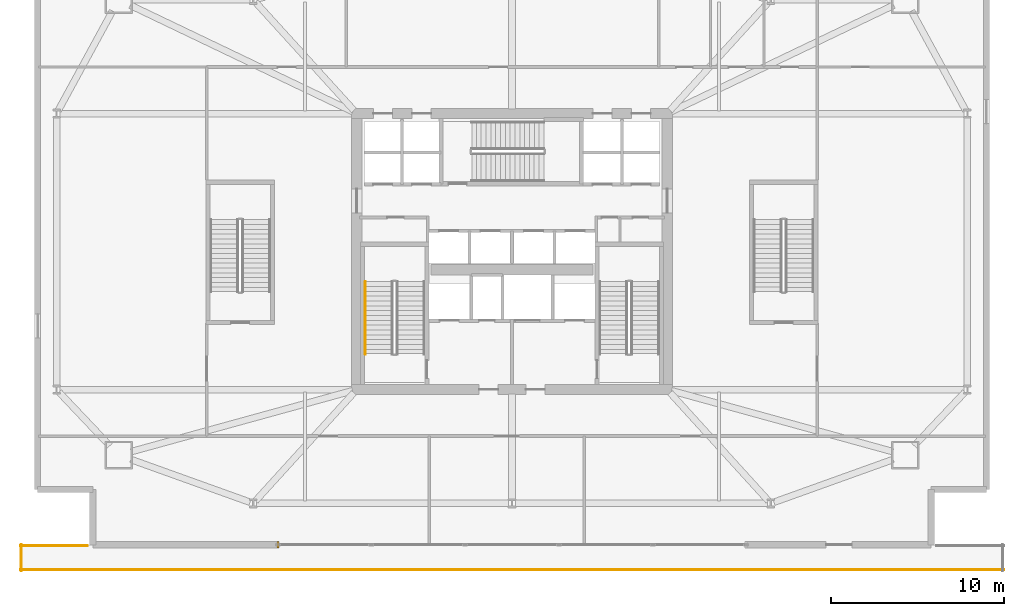
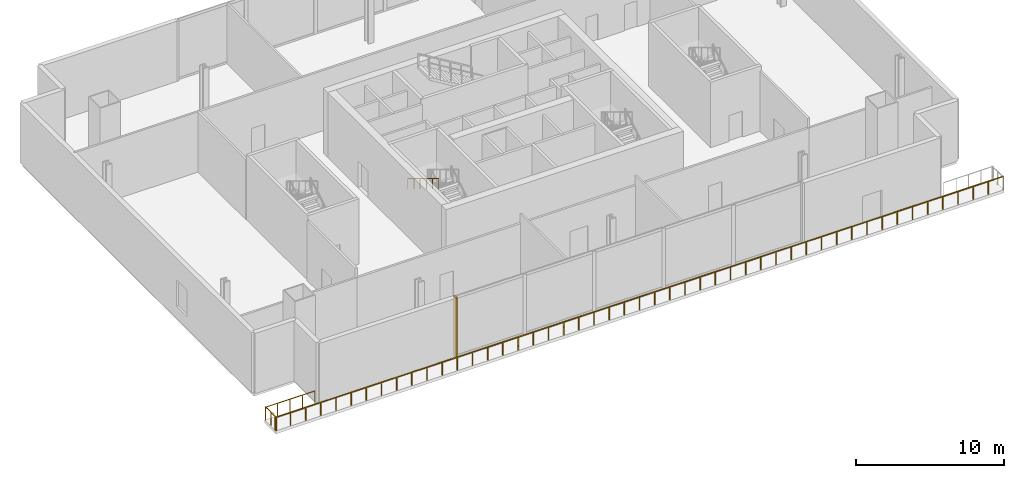
# One storey, part 13 of 16: 4 railings, 1 covering.
"""IFC4 building model written with IfcOpenShell, lengths in metres."""

from ifc_helpers import new_model, si_unit, direction, frame, origin, origin_2d, place, context, subcontext, project, spatial, rectangle, extrude, source, transform, mapped, material, layer, layer_set, type_object, element, save


model = new_model("IFC4")

# Units and contexts
model_context = context("Model", 3, precision=1e-05, world=origin(), true_north=direction((0.0, 1.0)))
body_context = subcontext(model_context, "Body", "Model", "MODEL_VIEW")
ifc_project = project(units=[si_unit("LENGTHUNIT", "METRE"), si_unit("AREAUNIT", "SQUARE_METRE"), si_unit("VOLUMEUNIT", "CUBIC_METRE"), si_unit("PLANEANGLEUNIT", "RADIAN"), si_unit("MASSUNIT", "GRAM", prefix="KILO")], contexts=[model_context])

# Site, building, storey
site_placement = place(None, origin())
site = spatial("IfcSite", under=ifc_project, at=site_placement, CompositionType="ELEMENT")
building_placement = place(site_placement, origin())
building = spatial("IfcBuilding", under=site, at=building_placement, Name="Haldenkirk Collegiate Tower", CompositionType="ELEMENT")
storey_placement = place(building_placement, frame((0.0, 0.0, 16.800048828125)))
storey = spatial("IfcBuildingStorey", under=building, at=storey_placement, Name="L03", CompositionType="ELEMENT", Elevation=16.800048828125)

# Railings
ifc_material_1 = material(Name="Painted architectural tubular steel", Category="steel")
railing_type_1 = type_object("IfcRailingType", Name="RLG-STAIR-HANDRAIL-900", PredefinedType="HANDRAIL", material=ifc_material_1)
railing_1_placement = place(storey_placement, frame((27.5, 24.25, 2.86865234375)))
element("IfcRailing", 1, at=railing_1_placement, inside=storey, type_object=railing_type_1, Name="L03 ST-1 stair handrail 2", PredefinedType="HANDRAIL", context=body_context, shape_type="SweptSolid", body=[
    extrude(rectangle(XDim=0.048095703125, YDim=0.048095703125, at=origin_2d()), frame((0.0, 0.0, 0.8759765625), z_axis=(0.0, -0.856476492594, 0.516186030065), x_axis=(1.0, 0.0, 0.0)), (0.0, 0.0, 1.0), 4.90380859375),
    extrude(rectangle(XDim=0.0419921875, YDim=0.0419921875, at=origin_2d()), origin(), (0.0, 0.0, 1.0), 0.851806640625),
    extrude(rectangle(XDim=0.0419921875, YDim=0.0419921875, at=origin_2d()), frame((0.0, -0.840087890625, 0.50634765625)), (0.0, 0.0, 1.0), 0.851806640625),
    extrude(rectangle(XDim=0.0419921875, YDim=0.0419921875, at=origin_2d()), frame((0.0, -1.679931640625, 1.012451171875)), (0.0, 0.0, 1.0), 0.851806640625),
    extrude(rectangle(XDim=0.0419921875, YDim=0.0419921875, at=origin_2d()), frame((0.0, -2.52001953125, 1.518798828125)), (0.0, 0.0, 1.0), 0.851806640625),
    extrude(rectangle(XDim=0.0419921875, YDim=0.0419921875, at=origin_2d()), frame((0.0, -3.35986328125, 2.02490234375)), (0.0, 0.0, 1.0), 0.851806640625),
    extrude(rectangle(XDim=0.0419921875, YDim=0.0419921875, at=origin_2d()), frame((0.0, -4.199951171875, 2.53125)), (0.0, 0.0, 1.0), 0.851806640625),
])
ifc_material_2 = material(Name="Anodised architectural bronze aluminium", Category="aluminium")
railing_type_2 = type_object("IfcRailingType", Name="RLG-TERR-BALUSTRADE-1100", PredefinedType="BALUSTRADE", material=ifc_material_2)
railing_2_placement = place(storey_placement, frame((7.5, 7.56005859375, 0.0)))
element("IfcRailing", 2, at=railing_2_placement, inside=storey, type_object=railing_type_2, Name="L03 terrace guard balustrade 1-1", PredefinedType="BALUSTRADE", context=body_context, shape_type="SweptSolid", body=[
    extrude(rectangle(XDim=0.048095703125, YDim=0.048095703125, at=origin_2d()), frame((0.0, 0.0, 1.076171875), z_axis=(1.0, 0.0, 0.0), x_axis=(0.0, 1.0, 0.0)), (0.0, 0.0, 1.0), 57.0),
    extrude(rectangle(XDim=0.0419921875, YDim=0.0419921875, at=origin_2d()), origin(), (0.0, 0.0, 1.0), 1.052001953125),
    extrude(rectangle(XDim=0.0419921875, YDim=0.0419921875, at=origin_2d()), frame((1.1875, 0.0, 0.0)), (0.0, 0.0, 1.0), 1.052001953125),
    extrude(rectangle(XDim=0.0419921875, YDim=0.0419921875, at=origin_2d()), frame((2.375, 0.0, 0.0)), (0.0, 0.0, 1.0), 1.052001953125),
    extrude(rectangle(XDim=0.0419921875, YDim=0.0419921875, at=origin_2d()), frame((3.5625, 0.0, 0.0)), (0.0, 0.0, 1.0), 1.052001953125),
    extrude(rectangle(XDim=0.0419921875, YDim=0.0419921875, at=origin_2d()), frame((4.75, 0.0, 0.0)), (0.0, 0.0, 1.0), 1.052001953125),
    extrude(rectangle(XDim=0.0419921875, YDim=0.0419921875, at=origin_2d()), frame((5.9375, 0.0, 0.0)), (0.0, 0.0, 1.0), 1.052001953125),
    extrude(rectangle(XDim=0.0419921875, YDim=0.0419921875, at=origin_2d()), frame((7.125, 0.0, 0.0)), (0.0, 0.0, 1.0), 1.052001953125),
    extrude(rectangle(XDim=0.0419921875, YDim=0.0419921875, at=origin_2d()), frame((8.3125, 0.0, 0.0)), (0.0, 0.0, 1.0), 1.052001953125),
    extrude(rectangle(XDim=0.0419921875, YDim=0.0419921875, at=origin_2d()), frame((9.5, 0.0, 0.0)), (0.0, 0.0, 1.0), 1.052001953125),
    extrude(rectangle(XDim=0.0419921875, YDim=0.0419921875, at=origin_2d()), frame((10.6875, 0.0, 0.0)), (0.0, 0.0, 1.0), 1.052001953125),
    extrude(rectangle(XDim=0.0419921875, YDim=0.0419921875, at=origin_2d()), frame((11.875, 0.0, 0.0)), (0.0, 0.0, 1.0), 1.052001953125),
    extrude(rectangle(XDim=0.0419921875, YDim=0.0419921875, at=origin_2d()), frame((13.0625, 0.0, 0.0)), (0.0, 0.0, 1.0), 1.052001953125),
    extrude(rectangle(XDim=0.0419921875, YDim=0.0419921875, at=origin_2d()), frame((14.25, 0.0, 0.0)), (0.0, 0.0, 1.0), 1.052001953125),
    extrude(rectangle(XDim=0.0419921875, YDim=0.0419921875, at=origin_2d()), frame((15.4375, 0.0, 0.0)), (0.0, 0.0, 1.0), 1.052001953125),
    extrude(rectangle(XDim=0.0419921875, YDim=0.0419921875, at=origin_2d()), frame((16.625, 0.0, 0.0)), (0.0, 0.0, 1.0), 1.052001953125),
    extrude(rectangle(XDim=0.0419921875, YDim=0.0419921875, at=origin_2d()), frame((17.8125, 0.0, 0.0)), (0.0, 0.0, 1.0), 1.052001953125),
    extrude(rectangle(XDim=0.0419921875, YDim=0.0419921875, at=origin_2d()), frame((19.0, 0.0, 0.0)), (0.0, 0.0, 1.0), 1.052001953125),
    extrude(rectangle(XDim=0.0419921875, YDim=0.0419921875, at=origin_2d()), frame((20.1875, 0.0, 0.0)), (0.0, 0.0, 1.0), 1.052001953125),
    extrude(rectangle(XDim=0.0419921875, YDim=0.0419921875, at=origin_2d()), frame((21.375, 0.0, 0.0)), (0.0, 0.0, 1.0), 1.052001953125),
    extrude(rectangle(XDim=0.0419921875, YDim=0.0419921875, at=origin_2d()), frame((22.5625, 0.0, 0.0)), (0.0, 0.0, 1.0), 1.052001953125),
    extrude(rectangle(XDim=0.0419921875, YDim=0.0419921875, at=origin_2d()), frame((23.75, 0.0, 0.0)), (0.0, 0.0, 1.0), 1.052001953125),
    extrude(rectangle(XDim=0.0419921875, YDim=0.0419921875, at=origin_2d()), frame((24.9375, 0.0, 0.0)), (0.0, 0.0, 1.0), 1.052001953125),
    extrude(rectangle(XDim=0.0419921875, YDim=0.0419921875, at=origin_2d()), frame((26.125, 0.0, 0.0)), (0.0, 0.0, 1.0), 1.052001953125),
    extrude(rectangle(XDim=0.0419921875, YDim=0.0419921875, at=origin_2d()), frame((27.3125, 0.0, 0.0)), (0.0, 0.0, 1.0), 1.052001953125),
    extrude(rectangle(XDim=0.0419921875, YDim=0.0419921875, at=origin_2d()), frame((28.5, 0.0, 0.0)), (0.0, 0.0, 1.0), 1.052001953125),
    extrude(rectangle(XDim=0.0419921875, YDim=0.0419921875, at=origin_2d()), frame((29.6875, 0.0, 0.0)), (0.0, 0.0, 1.0), 1.052001953125),
    extrude(rectangle(XDim=0.0419921875, YDim=0.0419921875, at=origin_2d()), frame((30.875, 0.0, 0.0)), (0.0, 0.0, 1.0), 1.052001953125),
    extrude(rectangle(XDim=0.0419921875, YDim=0.0419921875, at=origin_2d()), frame((32.0625, 0.0, 0.0)), (0.0, 0.0, 1.0), 1.052001953125),
    extrude(rectangle(XDim=0.0419921875, YDim=0.0419921875, at=origin_2d()), frame((33.25, 0.0, 0.0)), (0.0, 0.0, 1.0), 1.052001953125),
    extrude(rectangle(XDim=0.0419921875, YDim=0.0419921875, at=origin_2d()), frame((34.4375, 0.0, 0.0)), (0.0, 0.0, 1.0), 1.052001953125),
    extrude(rectangle(XDim=0.0419921875, YDim=0.0419921875, at=origin_2d()), frame((35.625, 0.0, 0.0)), (0.0, 0.0, 1.0), 1.052001953125),
    extrude(rectangle(XDim=0.0419921875, YDim=0.0419921875, at=origin_2d()), frame((36.8125, 0.0, 0.0)), (0.0, 0.0, 1.0), 1.052001953125),
    extrude(rectangle(XDim=0.0419921875, YDim=0.0419921875, at=origin_2d()), frame((38.0, 0.0, 0.0)), (0.0, 0.0, 1.0), 1.052001953125),
    extrude(rectangle(XDim=0.0419921875, YDim=0.0419921875, at=origin_2d()), frame((39.1875, 0.0, 0.0)), (0.0, 0.0, 1.0), 1.052001953125),
    extrude(rectangle(XDim=0.0419921875, YDim=0.0419921875, at=origin_2d()), frame((40.375, 0.0, 0.0)), (0.0, 0.0, 1.0), 1.052001953125),
    extrude(rectangle(XDim=0.0419921875, YDim=0.0419921875, at=origin_2d()), frame((41.5625, 0.0, 0.0)), (0.0, 0.0, 1.0), 1.052001953125),
    extrude(rectangle(XDim=0.0419921875, YDim=0.0419921875, at=origin_2d()), frame((42.75, 0.0, 0.0)), (0.0, 0.0, 1.0), 1.052001953125),
    extrude(rectangle(XDim=0.0419921875, YDim=0.0419921875, at=origin_2d()), frame((43.9375, 0.0, 0.0)), (0.0, 0.0, 1.0), 1.052001953125),
    extrude(rectangle(XDim=0.0419921875, YDim=0.0419921875, at=origin_2d()), frame((45.125, 0.0, 0.0)), (0.0, 0.0, 1.0), 1.052001953125),
    extrude(rectangle(XDim=0.0419921875, YDim=0.0419921875, at=origin_2d()), frame((46.3125, 0.0, 0.0)), (0.0, 0.0, 1.0), 1.052001953125),
    extrude(rectangle(XDim=0.0419921875, YDim=0.0419921875, at=origin_2d()), frame((47.5, 0.0, 0.0)), (0.0, 0.0, 1.0), 1.052001953125),
    extrude(rectangle(XDim=0.0419921875, YDim=0.0419921875, at=origin_2d()), frame((48.6875, 0.0, 0.0)), (0.0, 0.0, 1.0), 1.052001953125),
    extrude(rectangle(XDim=0.0419921875, YDim=0.0419921875, at=origin_2d()), frame((49.875, 0.0, 0.0)), (0.0, 0.0, 1.0), 1.052001953125),
    extrude(rectangle(XDim=0.0419921875, YDim=0.0419921875, at=origin_2d()), frame((51.0625, 0.0, 0.0)), (0.0, 0.0, 1.0), 1.052001953125),
    extrude(rectangle(XDim=0.0419921875, YDim=0.0419921875, at=origin_2d()), frame((52.25, 0.0, 0.0)), (0.0, 0.0, 1.0), 1.052001953125),
    extrude(rectangle(XDim=0.0419921875, YDim=0.0419921875, at=origin_2d()), frame((53.4375, 0.0, 0.0)), (0.0, 0.0, 1.0), 1.052001953125),
    extrude(rectangle(XDim=0.0419921875, YDim=0.0419921875, at=origin_2d()), frame((54.625, 0.0, 0.0)), (0.0, 0.0, 1.0), 1.052001953125),
    extrude(rectangle(XDim=0.0419921875, YDim=0.0419921875, at=origin_2d()), frame((55.8125, 0.0, 0.0)), (0.0, 0.0, 1.0), 1.052001953125),
    extrude(rectangle(XDim=0.0419921875, YDim=0.0419921875, at=origin_2d()), frame((57.0, 0.0, 0.0)), (0.0, 0.0, 1.0), 1.052001953125),
])
railing_3_placement = place(storey_placement, frame((11.3798828125, 8.93994140625, 0.0)))
element("IfcRailing", 3, at=railing_3_placement, inside=storey, type_object=railing_type_2, Name="L03 terrace guard balustrade 3-2", PredefinedType="BALUSTRADE", context=body_context, shape_type="SweptSolid", body=[
    extrude(rectangle(XDim=0.048095703125, YDim=0.048095703125, at=origin_2d()), frame((0.0, 0.0, 1.076171875), z_axis=(-1.0, 0.0, 0.0), x_axis=(0.0, -1.0, 0.0)), (0.0, 0.0, 1.0), 3.8798828125),
    extrude(rectangle(XDim=0.0419921875, YDim=0.0419921875, at=origin_2d()), origin(), (0.0, 0.0, 1.0), 1.052001953125),
    extrude(rectangle(XDim=0.0419921875, YDim=0.0419921875, at=origin_2d()), frame((-0.969970703125, 0.0, 0.0)), (0.0, 0.0, 1.0), 1.052001953125),
    extrude(rectangle(XDim=0.0419921875, YDim=0.0419921875, at=origin_2d()), frame((-1.93994140625, 0.0, 0.0)), (0.0, 0.0, 1.0), 1.052001953125),
    extrude(rectangle(XDim=0.0419921875, YDim=0.0419921875, at=origin_2d()), frame((-2.909912109375, 0.0, 0.0)), (0.0, 0.0, 1.0), 1.052001953125),
    extrude(rectangle(XDim=0.0419921875, YDim=0.0419921875, at=origin_2d()), frame((-3.8798828125, 0.0, 0.0)), (0.0, 0.0, 1.0), 1.052001953125),
])
railing_4_placement = place(storey_placement, frame((7.56005859375, 9.0, 0.0)))
element("IfcRailing", 4, at=railing_4_placement, inside=storey, type_object=railing_type_2, Name="L03 terrace guard balustrade 4-1", PredefinedType="BALUSTRADE", context=body_context, shape_type="SweptSolid", body=[
    extrude(rectangle(XDim=0.048095703125, YDim=0.048095703125, at=origin_2d()), frame((0.0, 0.0, 1.076171875), z_axis=(0.0, -1.0, 0.0), x_axis=(1.0, 0.0, 0.0)), (0.0, 0.0, 1.0), 1.5),
    extrude(rectangle(XDim=0.0419921875, YDim=0.0419921875, at=origin_2d()), origin(), (0.0, 0.0, 1.0), 1.052001953125),
    extrude(rectangle(XDim=0.0419921875, YDim=0.0419921875, at=origin_2d()), frame((0.0, -0.75, 0.0)), (0.0, 0.0, 1.0), 1.052001953125),
    extrude(rectangle(XDim=0.0419921875, YDim=0.0419921875, at=origin_2d()), frame((0.0, -1.5, 0.0)), (0.0, 0.0, 1.0), 1.052001953125),
])

# Covering
ifc_layer = layer(ifc_material_2, 0.06005859375)
ifc_layer_set = layer_set([ifc_layer], Name="Anodised architectural bronze aluminium")
covering_type = type_object("IfcCoveringType", Name="COV-CLAD-BRONZE-60", PredefinedType="CLADDING", material=ifc_layer_set)
shared_shape = source(origin(), body_context, "Body", "SweptSolid", [
    extrude(rectangle(XDim=0.1201171875, YDim=0.360107421875, at=origin_2d()), origin(), (0.0, 0.0, 1.0), 4.97998046875),
])
covering_placement = place(storey_placement, frame((22.431884765625, 9.0, 0.0), z_axis=(0.0, 0.0, 1.0), x_axis=(-1.0, 0.0, 0.0)))
element("IfcCovering", 5, at=covering_placement, inside=storey, type_object=covering_type, Name="L03 podium curtain-wall bronze jamb closure 1JR", PredefinedType="CLADDING", context=body_context, shape_type="MappedRepresentation", body=[
    mapped(shared_shape, transform((0.0, 0.0, 0.0), x_axis=(1.0, 0.0, 0.0), y_axis=(0.0, 1.0, 0.0), z_axis=(0.0, 0.0, 1.0), scale=1.0)),
])

save(model, "model.ifc")
